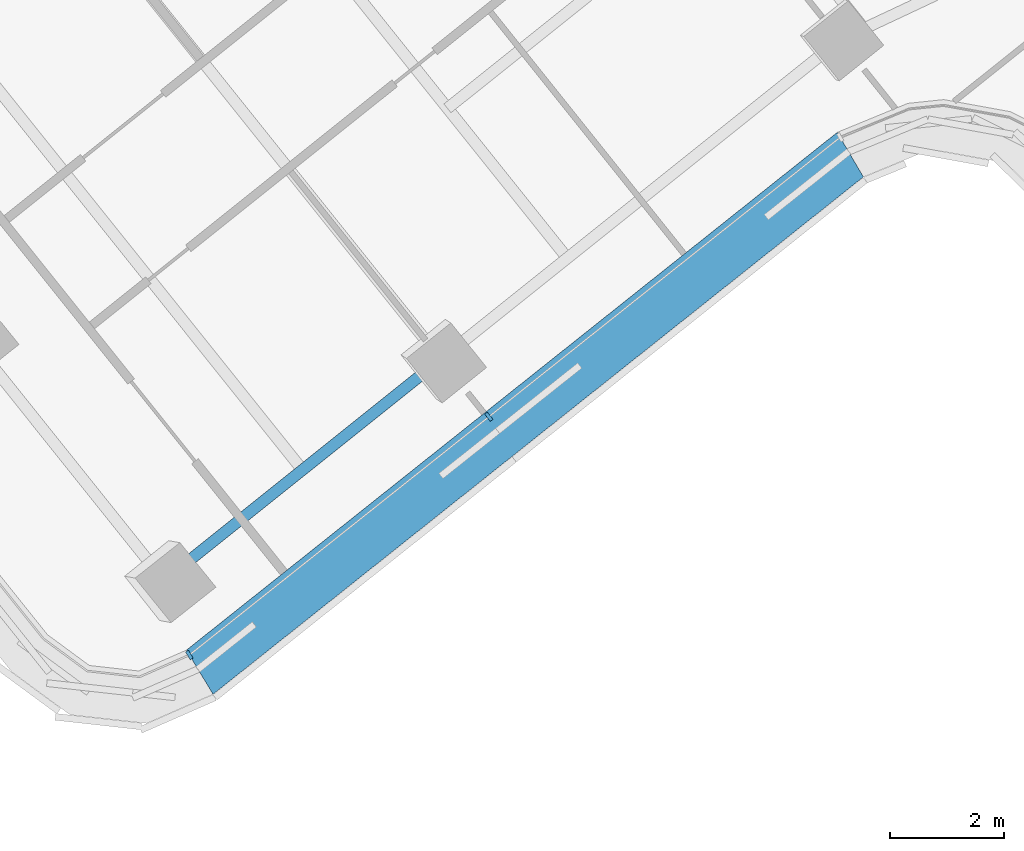
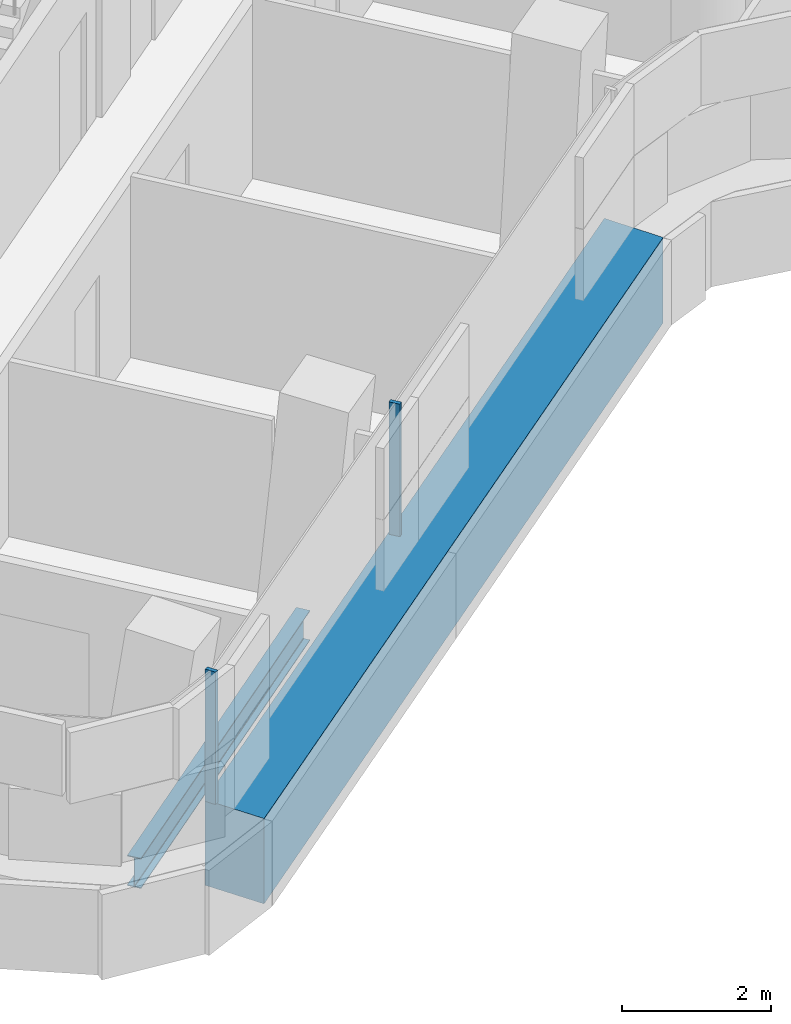
# One storey, part 2 of 31: 3 members, 1 beam, 1 element without a shape of its own.
"""IFC4 building model written with IfcOpenShell, lengths in metres."""

from ifc_helpers import new_model, si_unit, direction, frame, origin, origin_2d, place, context, subcontext, project, spatial, polyline, rectangle, i_section, outline, extrude, material, layer, layer_set, material_profile, profile_set, type_object, element, aggregate, save


model = new_model("IFC4")

# Units and contexts
model_context = context("Model", 3, precision=1e-05, world=origin(), true_north=direction((0.0, 1.0)))
body_context = subcontext(model_context, "Body", "Model", "MODEL_VIEW")
ifc_project = project(units=[si_unit("LENGTHUNIT", "METRE"), si_unit("AREAUNIT", "SQUARE_METRE"), si_unit("VOLUMEUNIT", "CUBIC_METRE"), si_unit("PLANEANGLEUNIT", "RADIAN"), si_unit("MASSUNIT", "GRAM", prefix="KILO")], contexts=[model_context])

# Site, building, storey
site_placement = place(None, origin())
site = spatial("IfcSite", under=ifc_project, at=site_placement, CompositionType="ELEMENT")
building_placement = place(site_placement, origin())
building = spatial("IfcBuilding", under=site, at=building_placement, Name="Tamarind Cross Interchange Tower", CompositionType="ELEMENT")
storey_placement = place(building_placement, frame((0.0, 0.0, 174.25)))
storey = spatial("IfcBuildingStorey", under=building, at=storey_placement, Name="L43", CompositionType="ELEMENT", Elevation=174.25)

# Beam
ifc_material_1 = material(Name="Steel Q355B", Category="steel")
ifc_material_profile_1 = material_profile(ifc_material_1, i_section(OverallWidth=0.198974609375, OverallDepth=0.49609375, WebThickness=0.009033203125, FlangeThickness=0.013916015625, FilletRadius=0.012939453125, at=origin_2d()), Name="HN 496x199x9x14")
ifc_profile_set_1 = profile_set([ifc_material_profile_1], Name="Steel Q355B")
beam_type = type_object("IfcBeamType", Name="Composite beam HN 496x199x9x14 Q355B", PredefinedType="BEAM", material=ifc_profile_set_1)
beam_placement = place(storey_placement, frame((-36.943359375, -18.996826171875, -0.387939453125), z_axis=(0.780903184631, 0.624652076145, 0.0), x_axis=(-0.624652076145, 0.780903184631, 0.0)))
element("IfcBeam", 1, at=beam_placement, inside=storey, type_object=beam_type, Name="Beam W-edgeep2", PredefinedType="BEAM", context=body_context, shape_type="SweptSolid", body=[
    extrude(i_section(OverallWidth=0.198974609375, OverallDepth=0.49609375, WebThickness=0.009033203125, FlangeThickness=0.013916015625, FilletRadius=0.012939453125, at=origin_2d()), origin(), (0.0, 0.0, 1.0), 6.23583984375),
])

# Curtain wall, members
ifc_material_2 = material(Name="Aluminium 6063-T6", Category="aluminium")
ifc_layer = layer(ifc_material_2, 0.159912109375)
ifc_layer_set = layer_set([ifc_layer], Name="Aluminium 6063-T6")
curtain_wall_type = type_object("IfcCurtainWallType", Name="Office curtain wall, 9.0 m bays", PredefinedType="NOTDEFINED", material=ifc_layer_set)
curtain_wall_placement = place(storey_placement, origin())
curtain_wall = element("IfcCurtainWall", 2, at=curtain_wall_placement, inside=storey, type_object=curtain_wall_type, Name="CWS-L43-01", PredefinedType="NOTDEFINED")
ifc_material_3 = material(Name="Aluminium and insulated spandrel panel", Category="aluminium")
member_type_1 = type_object("IfcMemberType", Name="Floor-edge blade transom", PredefinedType="USERDEFINED", material=ifc_material_3)
member_1_placement = place(storey_placement, origin())
member_1 = element("IfcMember", 3, at=member_1_placement, type_object=member_type_1, Name="CWT-L43-01", ObjectType="TRANSOM", PredefinedType="USERDEFINED", context=body_context, shape_type="SweptSolid", body=[
    extrude(outline(polyline([(-36.551025390625, -20.219970703125), (-25.097900390625, -11.109375), (-24.637451171875, -11.893310546875), (-36.08251953125, -20.997314453125), (-36.551025390625, -20.219970703125)])), origin(), (0.0, 0.0, 1.0), 1.39990234375),
])
ifc_material_profile_2 = material_profile(ifc_material_2, rectangle(XDim=0.06005859375, YDim=0.159912109375, at=origin_2d()), Name="Mullion CW1")
ifc_profile_set_2 = profile_set([ifc_material_profile_2], Name="Aluminium 6063-T6")
member_type_2 = type_object("IfcMemberType", Name="Mullion CW1", PredefinedType="MULLION", material=ifc_profile_set_2)
member_2_placement = place(storey_placement, frame((-36.498779296875, -20.30615234375, 1.39990234375), z_axis=(0.0, 0.0, 1.0), x_axis=(0.856454635627, 0.516222294281, 0.0)))
member_2 = element("IfcMember", 4, at=member_2_placement, type_object=member_type_2, Name="CWM-L43-01-00", PredefinedType="MULLION", context=body_context, shape_type="SweptSolid", body=[
    extrude(rectangle(XDim=0.06005859375, YDim=0.159912109375, at=origin_2d()), origin(), (0.0, 0.0, 1.0), 2.170166015625),
])
member_3_placement = place(storey_placement, frame((-31.228515625, -16.114013671875, 1.39990234375), z_axis=(0.0, 0.0, 1.0), x_axis=(0.782599684666, 0.622525287487, 0.0)))
member_3 = element("IfcMember", 5, at=member_3_placement, type_object=member_type_2, Name="CWM-L43-01-01", PredefinedType="MULLION", context=body_context, shape_type="SweptSolid", body=[
    extrude(rectangle(XDim=0.06005859375, YDim=0.159912109375, at=origin_2d()), origin(), (0.0, 0.0, 1.0), 2.170166015625),
])
aggregate(curtain_wall, [member_2, member_3, member_1])

save(model, "model.ifc")
